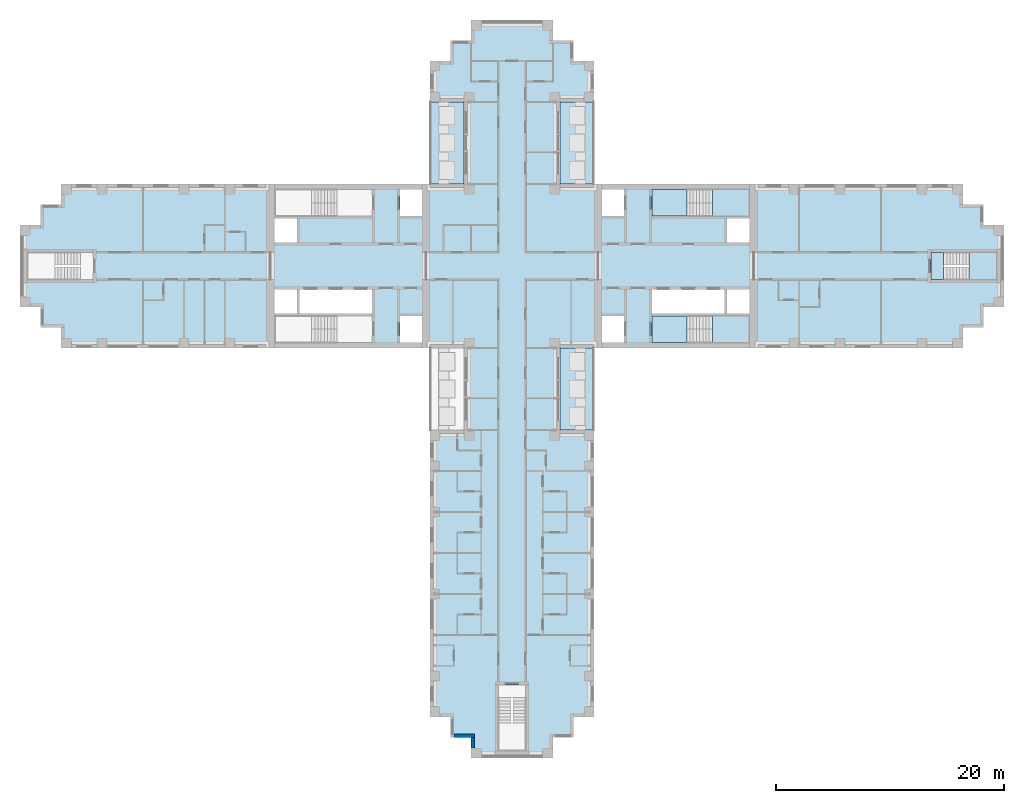
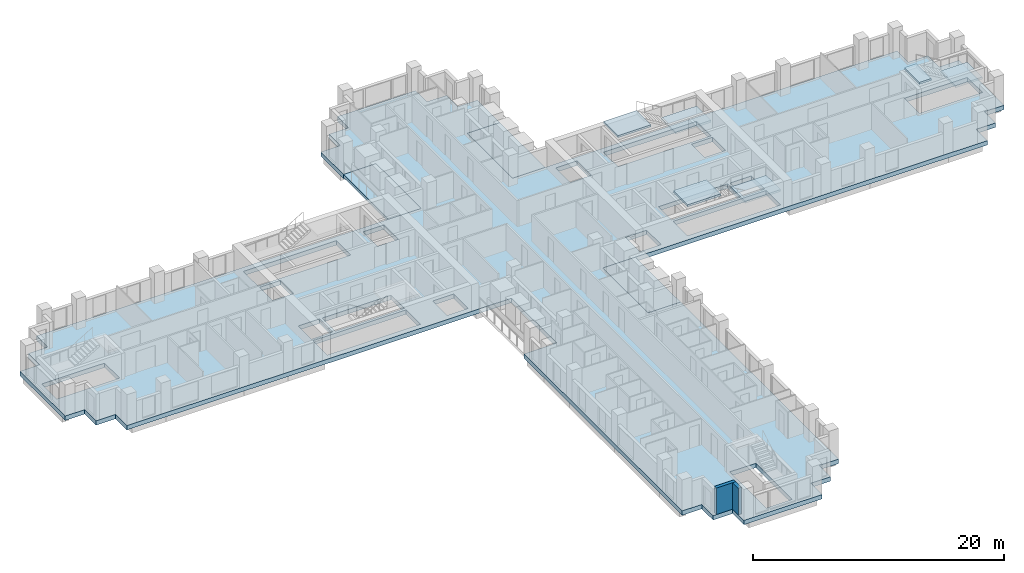
# One storey, part 2 of 14: 10 slabs, 2 walls, 3 elements without a shape of their own.
"""IFC4 building model written with IfcOpenShell, lengths in metres."""

from ifc_helpers import new_model, si_unit, direction, frame, frame_2d, origin, place, context, subcontext, project, spatial, polyline, rectangle, outline, extrude, material, layer, layer_set, type_object, element, aggregate, save


model = new_model("IFC4")

# Units and contexts
model_context = context("Model", 3, precision=1e-05, world=origin(), true_north=direction((0.0, 1.0)))
body_context = subcontext(model_context, "Body", "Model", "MODEL_VIEW")
ifc_project = project(units=[si_unit("LENGTHUNIT", "METRE"), si_unit("AREAUNIT", "SQUARE_METRE"), si_unit("VOLUMEUNIT", "CUBIC_METRE"), si_unit("PLANEANGLEUNIT", "RADIAN"), si_unit("MASSUNIT", "GRAM", prefix="KILO")], contexts=[model_context])

# Site, building, storey
site_placement = place(None, origin())
site = spatial("IfcSite", under=ifc_project, at=site_placement, CompositionType="ELEMENT")
building_placement = place(site_placement, origin())
building = spatial("IfcBuilding", under=site, at=building_placement, Name="Fustian Cross Tower", CompositionType="ELEMENT")
storey_placement = place(building_placement, frame((0.0, 0.0, 69.89990234375)))
storey = spatial("IfcBuildingStorey", under=building, at=storey_placement, Name="L21", CompositionType="ELEMENT", Elevation=69.89990234375)

# Slabs
ifc_material_1 = material(Name="Concrete C40/50", Category="concrete")
ifc_layer_1 = layer(ifc_material_1, 0.300048828125)
ifc_layer_set_1 = layer_set([ifc_layer_1], Name="Concrete C40/50")
slab_type_1 = type_object("IfcSlabType", Name="BS1 BALCONY SLAB 300", PredefinedType="FLOOR", material=ifc_layer_set_1)
slab_1_placement = place(storey_placement, frame((0.0, 0.0, -0.2998046875)))
element("IfcSlab", 1, at=slab_1_placement, inside=storey, type_object=slab_type_1, Name="Balcony slab", PredefinedType="FLOOR", context=body_context, shape_type="SweptSolid", body=[
    extrude(outline(polyline([(4.199951171875, 7.199951171875), (7.199951171875, 7.199951171875), (7.199951171875, 14.39990234375), (4.199951171875, 14.39990234375), (4.199951171875, 7.199951171875)])), origin(), (0.0, 0.0, 1.0), 0.2998046875),
])
slab_2_placement = place(storey_placement, frame((0.0, 0.0, -0.2998046875)))
element("IfcSlab", 2, at=slab_2_placement, inside=storey, type_object=slab_type_1, Name="Balcony slab", PredefinedType="FLOOR", context=body_context, shape_type="SweptSolid", body=[
    extrude(outline(polyline([(-7.199951171875, 7.199951171875), (-4.199951171875, 7.199951171875), (-4.199951171875, 14.39990234375), (-7.199951171875, 14.39990234375), (-7.199951171875, 7.199951171875)])), origin(), (0.0, 0.0, 1.0), 0.2998046875),
])
slab_3_placement = place(storey_placement, frame((0.0, 0.0, -0.2998046875)))
element("IfcSlab", 3, at=slab_3_placement, inside=storey, type_object=slab_type_1, Name="Balcony slab", PredefinedType="FLOOR", context=body_context, shape_type="SweptSolid", body=[
    extrude(outline(polyline([(4.199951171875, -14.39990234375), (7.199951171875, -14.39990234375), (7.199951171875, -7.199951171875), (4.199951171875, -7.199951171875), (4.199951171875, -14.39990234375)])), origin(), (0.0, 0.0, 1.0), 0.2998046875),
])
ifc_material_2 = material(Name="Concrete C40/50", Category="concrete")
ifc_layer_2 = layer(ifc_material_2, 0.425048828125)
ifc_layer_set_2 = layer_set([ifc_layer_2], Name="Concrete C40/50")
slab_type_2 = type_object("IfcSlabType", Name="FLAT SLAB 425", PredefinedType="FLOOR", material=ifc_layer_set_2)
slab_4_placement = place(storey_placement, frame((0.0, 0.0, -0.4248046875)))
element("IfcSlab", 4, at=slab_4_placement, inside=storey, type_object=slab_type_2, Name="FLOOR SLAB L21-1", PredefinedType="FLOOR", context=body_context, shape_type="SweptSolid", body=[
    extrude(outline(polyline([(-4.199951171875, -7.199951171875), (-39.60009765625, -7.199951171875), (-39.60009765625, -5.39990234375), (-41.39990234375, -5.39990234375), (-41.39990234375, -3.60009765625), (-43.199951171875, -3.60009765625), (-43.199951171875, 3.60009765625), (-41.39990234375, 3.60009765625), (-41.39990234375, 5.39990234375), (-39.60009765625, 5.39990234375), (-39.60009765625, 7.199951171875), (-4.199951171875, 7.199951171875), (-4.199951171875, 14.39990234375), (-7.199951171875, 14.39990234375), (-7.199951171875, 18.0), (-5.39990234375, 18.0), (-5.39990234375, 19.800048828125), (-3.60009765625, 19.800048828125), (-3.60009765625, 21.60009765625), (3.60009765625, 21.60009765625), (3.60009765625, 19.800048828125), (5.39990234375, 19.800048828125), (5.39990234375, 18.0), (7.199951171875, 18.0), (7.199951171875, 14.39990234375), (4.199951171875, 14.39990234375), (4.199951171875, 7.199951171875), (39.60009765625, 7.199951171875), (39.60009765625, 5.39990234375), (41.39990234375, 5.39990234375), (41.39990234375, 3.60009765625), (43.199951171875, 3.60009765625), (43.199951171875, -3.60009765625), (41.39990234375, -3.60009765625), (41.39990234375, -5.39990234375), (39.60009765625, -5.39990234375), (39.60009765625, -7.199951171875), (4.199951171875, -7.199951171875), (4.199951171875, -14.39990234375), (7.199951171875, -14.39990234375), (7.199951171875, -39.60009765625), (5.39990234375, -39.60009765625), (5.39990234375, -41.39990234375), (3.60009765625, -41.39990234375), (3.60009765625, -43.199951171875), (-3.60009765625, -43.199951171875), (-3.60009765625, -41.39990234375), (-5.39990234375, -41.39990234375), (-5.39990234375, -39.60009765625), (-7.199951171875, -39.60009765625), (-7.199951171875, -14.39990234375), (-4.199951171875, -14.39990234375), (-4.199951171875, -7.199951171875)]), holes=[polyline([(20.85009765625, -2.050048828125), (18.89990234375, -2.050048828125), (18.89990234375, -4.14990234375), (20.85009765625, -4.14990234375), (20.85009765625, -2.050048828125)]), polyline([(20.85009765625, 2.050048828125), (20.85009765625, 4.14990234375), (18.89990234375, 4.14990234375), (18.89990234375, 2.050048828125), (20.85009765625, 2.050048828125)]), polyline([(7.89990234375, 4.39990234375), (9.85009765625, 4.39990234375), (9.85009765625, 6.699951171875), (7.89990234375, 6.699951171875), (7.89990234375, 4.39990234375)]), polyline([(7.89990234375, -4.39990234375), (7.89990234375, -6.699951171875), (9.85009765625, -6.699951171875), (9.85009765625, -4.39990234375), (7.89990234375, -4.39990234375)]), polyline([(-18.89990234375, -2.050048828125), (-20.85009765625, -2.050048828125), (-20.85009765625, -4.14990234375), (-18.89990234375, -4.14990234375), (-18.89990234375, -2.050048828125)]), polyline([(-18.89990234375, 2.050048828125), (-18.89990234375, 4.14990234375), (-20.85009765625, 4.14990234375), (-20.85009765625, 2.050048828125), (-18.89990234375, 2.050048828125)]), polyline([(-9.85009765625, 4.39990234375), (-7.89990234375, 4.39990234375), (-7.89990234375, 6.699951171875), (-9.85009765625, 6.699951171875), (-9.85009765625, 4.39990234375)]), polyline([(-9.85009765625, -4.39990234375), (-9.85009765625, -6.699951171875), (-7.89990234375, -6.699951171875), (-7.89990234375, -4.39990234375), (-9.85009765625, -4.39990234375)]), polyline([(18.64990234375, -2.050048828125), (12.300048828125, -2.050048828125), (12.300048828125, -4.14990234375), (18.64990234375, -4.14990234375), (18.64990234375, -2.050048828125)]), polyline([(-12.300048828125, -4.14990234375), (-12.300048828125, -2.050048828125), (-18.64990234375, -2.050048828125), (-18.64990234375, -4.14990234375), (-12.300048828125, -4.14990234375)]), polyline([(12.300048828125, 4.39990234375), (20.85009765625, 4.39990234375), (20.85009765625, 6.699951171875), (12.300048828125, 6.699951171875), (12.300048828125, 4.39990234375)]), polyline([(12.300048828125, -4.39990234375), (12.300048828125, -6.699951171875), (20.85009765625, -6.699951171875), (20.85009765625, -4.39990234375), (12.300048828125, -4.39990234375)]), polyline([(-12.300048828125, 6.699951171875), (-20.85009765625, 6.699951171875), (-20.85009765625, 4.39990234375), (-12.300048828125, 4.39990234375), (-12.300048828125, 6.699951171875)]), polyline([(-12.300048828125, -6.699951171875), (-12.300048828125, -4.39990234375), (-20.85009765625, -4.39990234375), (-20.85009765625, -6.699951171875), (-12.300048828125, -6.699951171875)]), polyline([(-1.199951171875, -42.60009765625), (1.199951171875, -42.60009765625), (1.199951171875, -36.800048828125), (-1.199951171875, -36.800048828125), (-1.199951171875, -42.60009765625)]), polyline([(36.800048828125, 1.199951171875), (36.800048828125, -1.199951171875), (42.60009765625, -1.199951171875), (42.60009765625, 1.199951171875), (36.800048828125, 1.199951171875)]), polyline([(-36.800048828125, 1.199951171875), (-42.60009765625, 1.199951171875), (-42.60009765625, -1.199951171875), (-36.800048828125, -1.199951171875), (-36.800048828125, 1.199951171875)])]), origin(), (0.0, 0.0, 1.0), 0.4248046875),
])

# Stair, slabs
ifc_material_3 = material(Name="Concrete C50/60", Category="concrete")
stair_type_1 = type_object("IfcStairType", Name="STAIR 1150 HALF TURN", PredefinedType="HALF_TURN_STAIR", material=ifc_material_3)
stair_1_placement = place(storey_placement, origin())
stair_1 = element("IfcStair", 5, at=stair_1_placement, inside=storey, type_object=stair_type_1, Name="Stair ST1", PredefinedType="HALF_TURN_STAIR")
ifc_material_4 = material(Name="Concrete C50/60", Category="concrete")
ifc_layer_3 = layer(ifc_material_4, 0.199951171875)
ifc_layer_set_3 = layer_set([ifc_layer_3], Name="Concrete C50/60")
slab_type_3 = type_object("IfcSlabType", Name="STAIR LANDING", PredefinedType="LANDING", material=ifc_layer_set_3)
slab_5_placement = place(storey_placement, frame((0.0, 0.0, 1.300048828125)))
slab_5 = element("IfcSlab", 6, at=slab_5_placement, type_object=slab_type_3, Name="ST1 landing 1", PredefinedType="LANDING", context=body_context, shape_type="SweptSolid", body=[
    extrude(outline(polyline([(17.590087890625, 4.39990234375), (20.85009765625, 4.39990234375), (20.85009765625, 6.699951171875), (17.590087890625, 6.699951171875), (17.590087890625, 4.39990234375)])), origin(), (0.0, 0.0, 1.0), 0.199951171875),
])
slab_6_placement = place(storey_placement, frame((0.0, 0.0, 2.800048828125)))
slab_6 = element("IfcSlab", 7, at=slab_6_placement, type_object=slab_type_3, Name="ST1 landing 2", PredefinedType="LANDING", context=body_context, shape_type="SweptSolid", body=[
    extrude(outline(polyline([(12.300048828125, 4.39990234375), (15.35009765625, 4.39990234375), (15.35009765625, 6.699951171875), (12.300048828125, 6.699951171875), (12.300048828125, 4.39990234375)])), origin(), (0.0, 0.0, 1.0), 0.199951171875),
])
aggregate(stair_1, [slab_5, slab_6])

stair_2_placement = place(storey_placement, origin())
stair_2 = element("IfcStair", 8, at=stair_2_placement, inside=storey, type_object=stair_type_1, Name="Stair ST2", PredefinedType="HALF_TURN_STAIR")
slab_7_placement = place(storey_placement, frame((0.0, 0.0, 1.300048828125)))
slab_7 = element("IfcSlab", 9, at=slab_7_placement, type_object=slab_type_3, Name="ST2 landing 1", PredefinedType="LANDING", context=body_context, shape_type="SweptSolid", body=[
    extrude(outline(polyline([(17.590087890625, -4.39990234375), (20.85009765625, -4.39990234375), (20.85009765625, -6.699951171875), (17.590087890625, -6.699951171875), (17.590087890625, -4.39990234375)])), origin(), (0.0, 0.0, 1.0), 0.199951171875),
])
slab_8_placement = place(storey_placement, frame((0.0, 0.0, 2.800048828125)))
slab_8 = element("IfcSlab", 10, at=slab_8_placement, type_object=slab_type_3, Name="ST2 landing 2", PredefinedType="LANDING", context=body_context, shape_type="SweptSolid", body=[
    extrude(outline(polyline([(12.300048828125, -4.39990234375), (15.35009765625, -4.39990234375), (15.35009765625, -6.699951171875), (12.300048828125, -6.699951171875), (12.300048828125, -4.39990234375)])), origin(), (0.0, 0.0, 1.0), 0.199951171875),
])
aggregate(stair_2, [slab_7, slab_8])

ifc_material_5 = material(Name="Concrete C50/60", Category="concrete")
stair_type_2 = type_object("IfcStairType", Name="STAIR 1100 HALF TURN", PredefinedType="HALF_TURN_STAIR", material=ifc_material_5)
stair_3_placement = place(storey_placement, origin())
stair_3 = element("IfcStair", 11, at=stair_3_placement, inside=storey, type_object=stair_type_2, Name="Stair ST8", PredefinedType="HALF_TURN_STAIR")
slab_9_placement = place(storey_placement, frame((0.0, 0.0, 1.300048828125)))
slab_9 = element("IfcSlab", 12, at=slab_9_placement, type_object=slab_type_3, Name="ST8 landing 1", PredefinedType="LANDING", context=body_context, shape_type="SweptSolid", body=[
    extrude(outline(polyline([(40.139892578125, -1.199951171875), (42.60009765625, -1.199951171875), (42.60009765625, 1.199951171875), (40.139892578125, 1.199951171875), (40.139892578125, -1.199951171875)])), origin(), (0.0, 0.0, 1.0), 0.199951171875),
])
slab_10_placement = place(storey_placement, frame((0.0, 0.0, 2.800048828125)))
slab_10 = element("IfcSlab", 13, at=slab_10_placement, type_object=slab_type_3, Name="ST8 landing 2", PredefinedType="LANDING", context=body_context, shape_type="SweptSolid", body=[
    extrude(outline(polyline([(36.800048828125, -1.199951171875), (37.89990234375, -1.199951171875), (37.89990234375, 1.199951171875), (36.800048828125, 1.199951171875), (36.800048828125, -1.199951171875)])), origin(), (0.0, 0.0, 1.0), 0.199951171875),
])
aggregate(stair_3, [slab_9, slab_10])

# Walls
ifc_material_6 = material(Name="Dark aluminium cladding on insulated backing wall", Category="aluminium")
ifc_layer_4 = layer(ifc_material_6, 0.300048828125)
ifc_layer_set_4 = layer_set([ifc_layer_4], Name="Dark aluminium cladding on insulated backing wall")
wall_type = type_object("IfcWallType", Name="XW1 EXTERNAL WALL 300", PredefinedType="SOLIDWALL", material=ifc_layer_set_4)
wall_1_placement = place(storey_placement, frame((-5.10009765625, -41.25, 0.0), z_axis=(0.0, 0.0, 1.0), x_axis=(1.0, 0.0, 0.0)))
element("IfcWall", 14, at=wall_1_placement, inside=storey, type_object=wall_type, Name="External wall", PredefinedType="SOLIDWALL", context=body_context, shape_type="SweptSolid", body=[
    extrude(rectangle(XDim=1.800048828125, YDim=0.300048828125, at=frame_2d((0.89990234375, 0.0))), origin(), (0.0, 0.0, 1.0), 2.5751953125),
])
wall_2_placement = place(storey_placement, frame((-3.449951171875, -41.39990234375, 0.0), z_axis=(0.0, 0.0, 1.0), x_axis=(0.0, -1.0, 0.0)))
element("IfcWall", 15, at=wall_2_placement, inside=storey, type_object=wall_type, Name="External wall", PredefinedType="SOLIDWALL", context=body_context, shape_type="SweptSolid", body=[
    extrude(rectangle(XDim=0.900146484375, YDim=0.300048828125, at=frame_2d((0.4501953125, 0.0))), origin(), (0.0, 0.0, 1.0), 2.5751953125),
])

save(model, "model.ifc")
